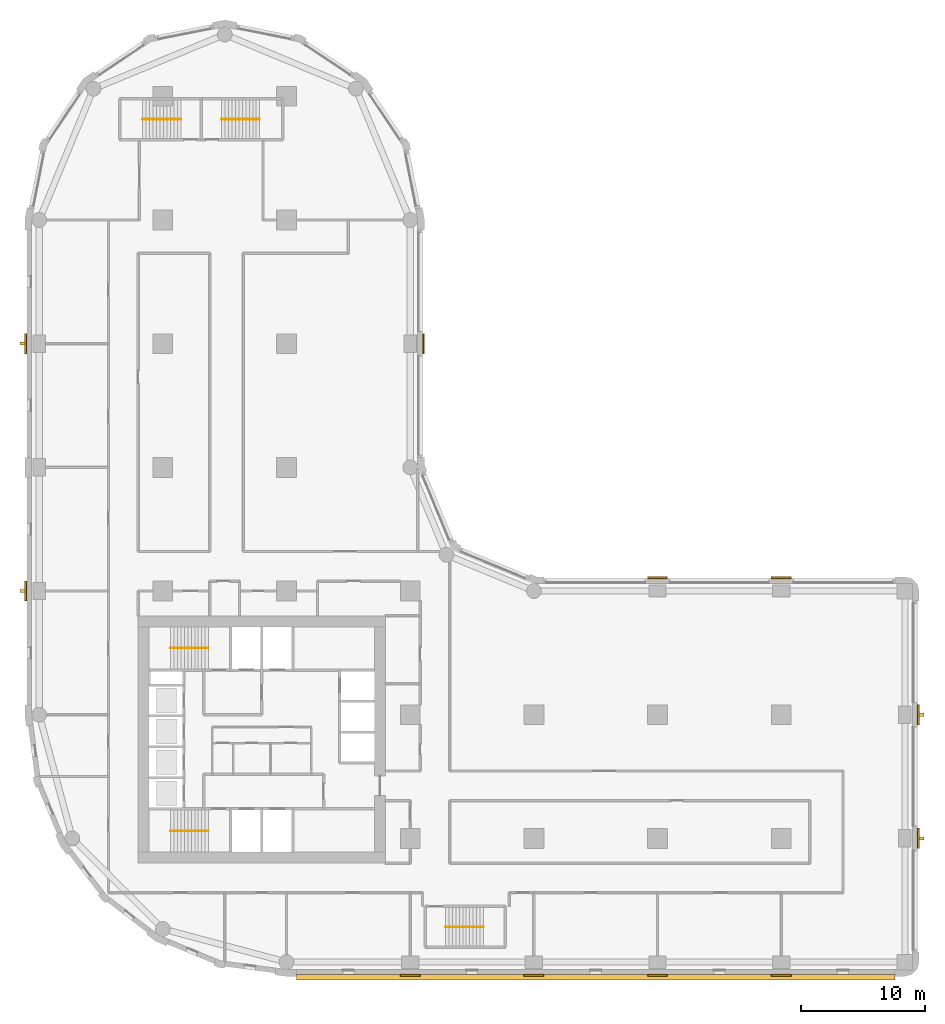
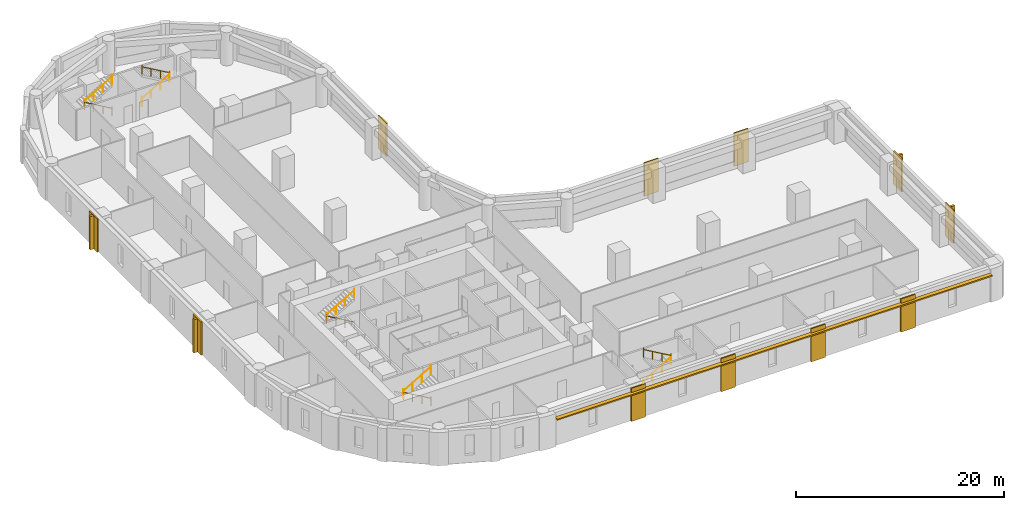
# One storey, part 9 of 10: 11 coverings, 10 railings, 5 shading devices.
"""IFC4 building model written with IfcOpenShell, lengths in metres."""

from ifc_helpers import new_model, si_unit, direction, frame, origin, origin_2d, place, context, subcontext, project, spatial, polyline, rectangle, circle, outline, extrude, material, layer, layer_set, type_object, element, save


model = new_model("IFC4")

# Units and contexts
model_context = context("Model", 3, precision=1e-05, world=origin(), true_north=direction((0.0, 1.0)))
body_context = subcontext(model_context, "Body", "Model", "MODEL_VIEW")
ifc_project = project(units=[si_unit("LENGTHUNIT", "METRE"), si_unit("AREAUNIT", "SQUARE_METRE"), si_unit("VOLUMEUNIT", "CUBIC_METRE"), si_unit("PLANEANGLEUNIT", "RADIAN"), si_unit("MASSUNIT", "GRAM", prefix="KILO")], contexts=[model_context])

# Site, building, storey
site_placement = place(None, origin())
site = spatial("IfcSite", under=ifc_project, at=site_placement, CompositionType="ELEMENT")
building_placement = place(site_placement, origin())
building = spatial("IfcBuilding", under=site, at=building_placement, Name="Qaws Garden Tower", CompositionType="ELEMENT")
storey_placement = place(building_placement, frame((0.0, 0.0, 54.89990234375)))
storey = spatial("IfcBuildingStorey", under=building, at=storey_placement, Name="L13", CompositionType="ELEMENT", Elevation=54.89990234375)

# Coverings
ifc_material_1 = material(Name="Clay facing brick masonry", Category="masonry")
ifc_layer_1 = layer(ifc_material_1, 0.14990234375)
ifc_layer_set_1 = layer_set([ifc_layer_1], Name="Clay facing brick masonry")
covering_type = type_object("IfcCoveringType", Name="Brick pilaster facing 150 x 1600", PredefinedType="CLADDING", material=ifc_layer_set_1)
placement = place(storey_placement, origin())
element("IfcCovering", 1, at=placement, inside=storey, type_object=covering_type, Name="E-L13-pier-01", PredefinedType="CLADDING", context=body_context, shape_type="SweptSolid", body=[
    extrude(outline(polyline([(29.199951171875, -1.0), (30.800048828125, -1.0), (30.800048828125, -1.14990234375), (29.199951171875, -1.14990234375), (29.199951171875, -1.0)])), origin(), (0.0, 0.0, 1.0), 3.900146484375),
])
element("IfcCovering", 2, at=placement, inside=storey, type_object=covering_type, Name="E-L13-pier-02", PredefinedType="CLADDING", context=body_context, shape_type="SweptSolid", body=[
    extrude(outline(polyline([(39.199951171875, -1.0), (40.800048828125, -1.0), (40.800048828125, -1.14990234375), (39.199951171875, -1.14990234375), (39.199951171875, -1.0)])), origin(), (0.0, 0.0, 1.0), 3.900146484375),
])
element("IfcCovering", 3, at=placement, inside=storey, type_object=covering_type, Name="E-L13-pier-03", PredefinedType="CLADDING", context=body_context, shape_type="SweptSolid", body=[
    extrude(outline(polyline([(49.199951171875, -1.0), (50.800048828125, -1.0), (50.800048828125, -1.14990234375), (49.199951171875, -1.14990234375), (49.199951171875, -1.0)])), origin(), (0.0, 0.0, 1.0), 3.900146484375),
])
element("IfcCovering", 4, at=placement, inside=storey, type_object=covering_type, Name="E-L13-pier-04", PredefinedType="CLADDING", context=body_context, shape_type="SweptSolid", body=[
    extrude(outline(polyline([(59.199951171875, -1.0), (60.800048828125, -1.0), (60.800048828125, -1.14990234375), (59.199951171875, -1.14990234375), (59.199951171875, -1.0)])), origin(), (0.0, 0.0, 1.0), 3.900146484375),
])
element("IfcCovering", 5, at=placement, inside=storey, type_object=covering_type, Name="E-L13-pier-06", PredefinedType="CLADDING", context=body_context, shape_type="SweptSolid", body=[
    extrude(outline(polyline([(71.0, 9.199951171875), (71.0, 10.800048828125), (71.14990234375, 10.800048828125), (71.14990234375, 9.199951171875), (71.0, 9.199951171875)])), origin(), (0.0, 0.0, 1.0), 3.900146484375),
])
element("IfcCovering", 6, at=placement, inside=storey, type_object=covering_type, Name="E-L13-pier-07", PredefinedType="CLADDING", context=body_context, shape_type="SweptSolid", body=[
    extrude(outline(polyline([(71.0, 19.199951171875), (71.0, 20.800048828125), (71.14990234375, 20.800048828125), (71.14990234375, 19.199951171875), (71.0, 19.199951171875)])), origin(), (0.0, 0.0, 1.0), 3.900146484375),
])
element("IfcCovering", 7, at=placement, inside=storey, type_object=covering_type, Name="E-L13-pier-09", PredefinedType="CLADDING", context=body_context, shape_type="SweptSolid", body=[
    extrude(outline(polyline([(60.800048828125, 31.0), (59.199951171875, 31.0), (59.199951171875, 31.14990234375), (60.800048828125, 31.14990234375), (60.800048828125, 31.0)])), origin(), (0.0, 0.0, 1.0), 3.900146484375),
])
element("IfcCovering", 8, at=placement, inside=storey, type_object=covering_type, Name="E-L13-pier-10", PredefinedType="CLADDING", context=body_context, shape_type="SweptSolid", body=[
    extrude(outline(polyline([(50.800048828125, 31.0), (49.199951171875, 31.0), (49.199951171875, 31.14990234375), (50.800048828125, 31.14990234375), (50.800048828125, 31.0)])), origin(), (0.0, 0.0, 1.0), 3.900146484375),
])
element("IfcCovering", 9, at=placement, inside=storey, type_object=covering_type, Name="E-L13-pier-14", PredefinedType="CLADDING", context=body_context, shape_type="SweptSolid", body=[
    extrude(outline(polyline([(31.0, 49.199951171875), (31.0, 50.800048828125), (31.14990234375, 50.800048828125), (31.14990234375, 49.199951171875), (31.0, 49.199951171875)])), origin(), (0.0, 0.0, 1.0), 3.900146484375),
])
element("IfcCovering", 10, at=placement, inside=storey, type_object=covering_type, Name="E-L13-pier-24", PredefinedType="CLADDING", context=body_context, shape_type="SweptSolid", body=[
    extrude(outline(polyline([(-1.0, 50.800048828125), (-1.0, 49.199951171875), (-1.14990234375, 49.199951171875), (-1.14990234375, 50.800048828125), (-1.0, 50.800048828125)])), origin(), (0.0, 0.0, 1.0), 3.900146484375),
])
element("IfcCovering", 11, at=placement, inside=storey, type_object=covering_type, Name="E-L13-pier-26", PredefinedType="CLADDING", context=body_context, shape_type="SweptSolid", body=[
    extrude(outline(polyline([(-1.0, 30.800048828125), (-1.0, 29.199951171875), (-1.14990234375, 29.199951171875), (-1.14990234375, 30.800048828125), (-1.0, 30.800048828125)])), origin(), (0.0, 0.0, 1.0), 3.900146484375),
])

# Shading devices
ifc_material_2 = material(Name="Clay facing brick masonry", Category="masonry")
ifc_layer_2 = layer(ifc_material_2, 0.14990234375)
ifc_layer_set_2 = layer_set([ifc_layer_2], Name="Clay facing brick masonry")
shading_device_type_1 = type_object("IfcShadingDeviceType", Name="Brick sunshade band 450 x 150", PredefinedType="JALOUSIE", material=ifc_layer_set_2)
shading_device_placement = place(storey_placement, frame((0.0, 0.0, 3.25)))
element("IfcShadingDevice", 12, at=shading_device_placement, inside=storey, type_object=shading_device_type_1, Name="SUNSHADE 00", PredefinedType="JALOUSIE", context=body_context, shape_type="SweptSolid", body=[
    extrude(outline(polyline([(20.800048828125, -1.0), (20.800048828125, -1.449951171875), (69.199951171875, -1.449951171875), (69.199951171875, -1.0), (60.800048828125, -1.0), (60.800048828125, -1.14990234375), (59.199951171875, -1.14990234375), (59.199951171875, -1.0), (50.800048828125, -1.0), (50.800048828125, -1.14990234375), (49.199951171875, -1.14990234375), (49.199951171875, -1.0), (40.800048828125, -1.0), (40.800048828125, -1.14990234375), (39.199951171875, -1.14990234375), (39.199951171875, -1.0), (30.800048828125, -1.0), (30.800048828125, -1.14990234375), (29.199951171875, -1.14990234375), (29.199951171875, -1.0), (20.800048828125, -1.0)])), origin(), (0.0, 0.0, 1.0), 0.150146484375),
])
ifc_material_3 = material(Name="Clay facing brick masonry", Category="masonry")
ifc_layer_3 = layer(ifc_material_3, 0.25)
ifc_layer_set_3 = layer_set([ifc_layer_3], Name="Clay facing brick masonry")
shading_device_type_2 = type_object("IfcShadingDeviceType", Name="Brick-faced fin 250 x 400", PredefinedType="USERDEFINED", material=ifc_layer_set_3)
for number, where, z_axis, x_axis, name in (
    (13, (71.35009765625, 10.0, 0.000244140625), (0.0, 0.0, 1.0), (0.0, 1.0, 0.0), "FIN 06"),
    (14, (71.35009765625, 20.0, 0.000244140625), (0.0, 0.0, 1.0), (0.0, 1.0, 0.0), "FIN 07"),
    (15, (-1.35009765625, 50.0, 0.000244140625), (0.0, 0.0, 1.0), (0.0, -1.0, 0.0), "FIN 24"),
    (16, (-1.35009765625, 30.0, 0.000244140625), (0.0, 0.0, 1.0), (0.0, -1.0, 0.0), "FIN 26"),
):
    element("IfcShadingDevice", number, at=place(storey_placement, frame(where, z_axis=z_axis, x_axis=x_axis)), inside=storey, type_object=shading_device_type_2, Name=name, ObjectType="FIN", PredefinedType="USERDEFINED", context=body_context, shape_type="SweptSolid", body=[
        extrude(rectangle(XDim=0.25, YDim=0.39990234375, at=origin_2d()), origin(), (0.0, 0.0, 1.0), 3.89990234375),
    ])

# Railings
ifc_material_4 = material(Name="Steel S355", Category="steel")
railing_type = type_object("IfcRailingType", Name="Stair handrail 900", PredefinedType="HANDRAIL", material=ifc_material_4)
railing_1_placement = place(storey_placement, frame((13.699951171875, 10.60009765625, 0.16259765625)))
element("IfcRailing", 17, at=railing_1_placement, inside=storey, type_object=railing_type, Name="Stair 1 handrail", PredefinedType="HANDRAIL", context=body_context, shape_type="SweptSolid", body=[
    extrude(circle(Radius=0.02392578125, at=origin_2d()), frame((0.0, 0.0, 0.8759765625), z_axis=(-0.864873446163, 0.0, 0.501989962173), x_axis=(0.0, -1.0, 0.0)), (0.0, 0.0, 1.0), 3.56103515625),
    extrude(circle(Radius=0.02099609375, at=origin_2d()), origin(), (0.0, 0.0, 1.0), 1.06201171875),
    extrude(circle(Radius=0.02099609375, at=origin_2d()), frame((-1.026611328125, 0.0, 0.595947265625)), (0.0, 0.0, 1.0), 0.851806640625),
    extrude(circle(Radius=0.02099609375, at=origin_2d()), frame((-2.05322265625, 0.0, 1.191650390625)), (0.0, 0.0, 1.0), 0.851806640625),
    extrude(circle(Radius=0.02099609375, at=origin_2d()), frame((-3.079833984375, 0.0, 1.78759765625)), (0.0, 0.0, 1.0), 1.06201171875),
])
railing_2_placement = place(storey_placement, frame((10.6201171875, 10.60009765625, 2.112548828125)))
element("IfcRailing", 18, at=railing_2_placement, inside=storey, type_object=railing_type, Name="Stair 1 handrail", PredefinedType="HANDRAIL", context=body_context, shape_type="SweptSolid", body=[
    extrude(circle(Radius=0.02392578125, at=origin_2d()), frame((0.0, 0.0, 0.8759765625), z_axis=(0.864873446163, 0.0, 0.501989962173), x_axis=(0.0, 1.0, 0.0)), (0.0, 0.0, 1.0), 3.56103515625),
    extrude(circle(Radius=0.02099609375, at=origin_2d()), origin(), (0.0, 0.0, 1.0), 1.06201171875),
    extrude(circle(Radius=0.02099609375, at=origin_2d()), frame((1.026611328125, 0.0, 0.595947265625)), (0.0, 0.0, 1.0), 0.851806640625),
    extrude(circle(Radius=0.02099609375, at=origin_2d()), frame((2.05322265625, 0.0, 1.191650390625)), (0.0, 0.0, 1.0), 0.851806640625),
    extrude(circle(Radius=0.02099609375, at=origin_2d()), frame((3.079833984375, 0.0, 1.78759765625)), (0.0, 0.0, 1.0), 1.06201171875),
])
railing_3_placement = place(storey_placement, frame((13.699951171875, 25.39990234375, 0.16259765625)))
element("IfcRailing", 19, at=railing_3_placement, inside=storey, type_object=railing_type, Name="Stair 4 handrail", PredefinedType="HANDRAIL", context=body_context, shape_type="SweptSolid", body=[
    extrude(circle(Radius=0.02392578125, at=origin_2d()), frame((0.0, 0.0, 0.8759765625), z_axis=(-0.864873446163, 0.0, 0.501989962173), x_axis=(0.0, -1.0, 0.0)), (0.0, 0.0, 1.0), 3.56103515625),
    extrude(circle(Radius=0.02099609375, at=origin_2d()), origin(), (0.0, 0.0, 1.0), 1.06201171875),
    extrude(circle(Radius=0.02099609375, at=origin_2d()), frame((-1.026611328125, 0.0, 0.595947265625)), (0.0, 0.0, 1.0), 0.851806640625),
    extrude(circle(Radius=0.02099609375, at=origin_2d()), frame((-2.05322265625, 0.0, 1.191650390625)), (0.0, 0.0, 1.0), 0.851806640625),
    extrude(circle(Radius=0.02099609375, at=origin_2d()), frame((-3.079833984375, 0.0, 1.78759765625)), (0.0, 0.0, 1.0), 1.06201171875),
])
for number, where, name in (
    (20, (10.6201171875, 25.39990234375, 2.112548828125), "Stair 4 handrail"),
    (21, (32.85009765625, 2.85009765625, 0.16259765625), "Stair 5 handrail"),
):
    element("IfcRailing", number, at=place(storey_placement, frame(where)), inside=storey, type_object=railing_type, Name=name, PredefinedType="HANDRAIL", context=body_context, shape_type="SweptSolid", body=[
        extrude(circle(Radius=0.02392578125, at=origin_2d()), frame((0.0, 0.0, 0.8759765625), z_axis=(0.864873446163, 0.0, 0.501989962173), x_axis=(0.0, 1.0, 0.0)), (0.0, 0.0, 1.0), 3.56103515625),
        extrude(circle(Radius=0.02099609375, at=origin_2d()), origin(), (0.0, 0.0, 1.0), 1.06201171875),
        extrude(circle(Radius=0.02099609375, at=origin_2d()), frame((1.026611328125, 0.0, 0.595947265625)), (0.0, 0.0, 1.0), 0.851806640625),
        extrude(circle(Radius=0.02099609375, at=origin_2d()), frame((2.05322265625, 0.0, 1.191650390625)), (0.0, 0.0, 1.0), 0.851806640625),
        extrude(circle(Radius=0.02099609375, at=origin_2d()), frame((3.079833984375, 0.0, 1.78759765625)), (0.0, 0.0, 1.0), 1.06201171875),
    ])
for number, where, name in (
    (22, (35.929931640625, 2.85009765625, 2.112548828125), "Stair 5 handrail"),
    (23, (11.449951171875, 68.14990234375, 0.16259765625), "Stair 6 handrail"),
):
    element("IfcRailing", number, at=place(storey_placement, frame(where)), inside=storey, type_object=railing_type, Name=name, PredefinedType="HANDRAIL", context=body_context, shape_type="SweptSolid", body=[
        extrude(circle(Radius=0.02392578125, at=origin_2d()), frame((0.0, 0.0, 0.8759765625), z_axis=(-0.864873446163, 0.0, 0.501989962173), x_axis=(0.0, -1.0, 0.0)), (0.0, 0.0, 1.0), 3.56103515625),
        extrude(circle(Radius=0.02099609375, at=origin_2d()), origin(), (0.0, 0.0, 1.0), 1.06201171875),
        extrude(circle(Radius=0.02099609375, at=origin_2d()), frame((-1.026611328125, 0.0, 0.595947265625)), (0.0, 0.0, 1.0), 0.851806640625),
        extrude(circle(Radius=0.02099609375, at=origin_2d()), frame((-2.05322265625, 0.0, 1.191650390625)), (0.0, 0.0, 1.0), 0.851806640625),
        extrude(circle(Radius=0.02099609375, at=origin_2d()), frame((-3.079833984375, 0.0, 1.78759765625)), (0.0, 0.0, 1.0), 1.06201171875),
    ])
railing_4_placement = place(storey_placement, frame((8.3701171875, 68.14990234375, 2.112548828125)))
element("IfcRailing", 24, at=railing_4_placement, inside=storey, type_object=railing_type, Name="Stair 6 handrail", PredefinedType="HANDRAIL", context=body_context, shape_type="SweptSolid", body=[
    extrude(circle(Radius=0.02392578125, at=origin_2d()), frame((0.0, 0.0, 0.8759765625), z_axis=(0.864873446163, 0.0, 0.501989962173), x_axis=(0.0, 1.0, 0.0)), (0.0, 0.0, 1.0), 3.56103515625),
    extrude(circle(Radius=0.02099609375, at=origin_2d()), origin(), (0.0, 0.0, 1.0), 1.06201171875),
    extrude(circle(Radius=0.02099609375, at=origin_2d()), frame((1.026611328125, 0.0, 0.595947265625)), (0.0, 0.0, 1.0), 0.851806640625),
    extrude(circle(Radius=0.02099609375, at=origin_2d()), frame((2.05322265625, 0.0, 1.191650390625)), (0.0, 0.0, 1.0), 0.851806640625),
    extrude(circle(Radius=0.02099609375, at=origin_2d()), frame((3.079833984375, 0.0, 1.78759765625)), (0.0, 0.0, 1.0), 1.06201171875),
])
railing_5_placement = place(storey_placement, frame((14.75, 68.14990234375, 0.16259765625)))
element("IfcRailing", 25, at=railing_5_placement, inside=storey, type_object=railing_type, Name="Stair 7 handrail", PredefinedType="HANDRAIL", context=body_context, shape_type="SweptSolid", body=[
    extrude(circle(Radius=0.02392578125, at=origin_2d()), frame((0.0, 0.0, 0.8759765625), z_axis=(0.864890721111, 0.0, 0.501960198159), x_axis=(0.0, 1.0, 0.0)), (0.0, 0.0, 1.0), 3.561279296875),
    extrude(circle(Radius=0.02099609375, at=origin_2d()), origin(), (0.0, 0.0, 1.0), 1.06201171875),
    extrude(circle(Radius=0.02099609375, at=origin_2d()), frame((1.026611328125, 0.0, 0.595947265625)), (0.0, 0.0, 1.0), 0.851806640625),
    extrude(circle(Radius=0.02099609375, at=origin_2d()), frame((2.053466796875, 0.0, 1.191650390625)), (0.0, 0.0, 1.0), 0.851806640625),
    extrude(circle(Radius=0.02099609375, at=origin_2d()), frame((3.080078125, 0.0, 1.78759765625)), (0.0, 0.0, 1.0), 1.06201171875),
])
railing_6_placement = place(storey_placement, frame((17.830078125, 68.14990234375, 2.112548828125)))
element("IfcRailing", 26, at=railing_6_placement, inside=storey, type_object=railing_type, Name="Stair 7 handrail", PredefinedType="HANDRAIL", context=body_context, shape_type="SweptSolid", body=[
    extrude(circle(Radius=0.02392578125, at=origin_2d()), frame((0.0, 0.0, 0.8759765625), z_axis=(-0.864890721111, 0.0, 0.501960198159), x_axis=(0.0, -1.0, 0.0)), (0.0, 0.0, 1.0), 3.561279296875),
    extrude(circle(Radius=0.02099609375, at=origin_2d()), origin(), (0.0, 0.0, 1.0), 1.06201171875),
    extrude(circle(Radius=0.02099609375, at=origin_2d()), frame((-1.026611328125, 0.0, 0.595947265625)), (0.0, 0.0, 1.0), 0.851806640625),
    extrude(circle(Radius=0.02099609375, at=origin_2d()), frame((-2.053466796875, 0.0, 1.191650390625)), (0.0, 0.0, 1.0), 0.851806640625),
    extrude(circle(Radius=0.02099609375, at=origin_2d()), frame((-3.080078125, 0.0, 1.78759765625)), (0.0, 0.0, 1.0), 1.06201171875),
])

save(model, "model.ifc")
